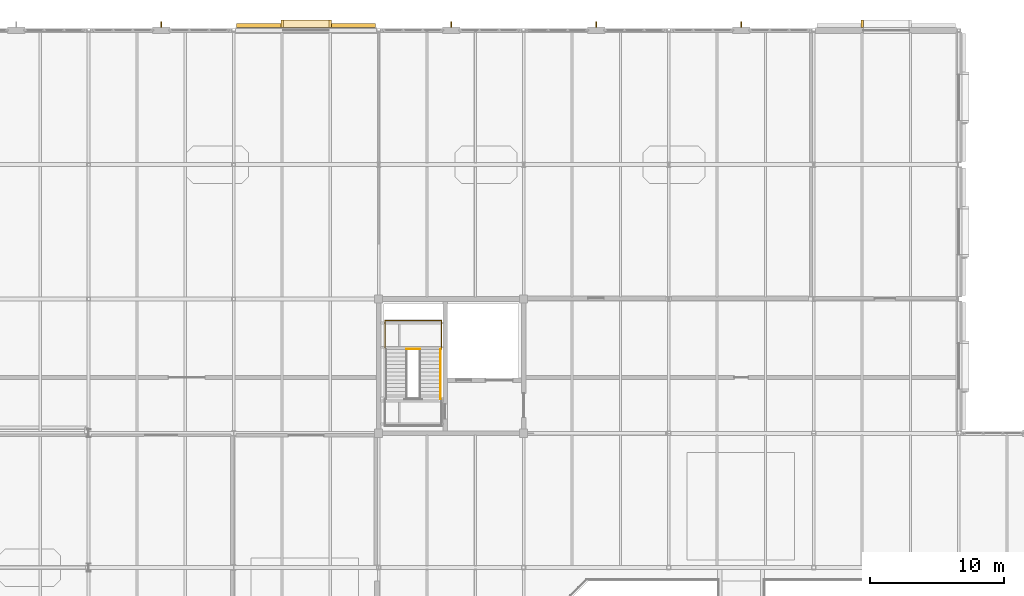
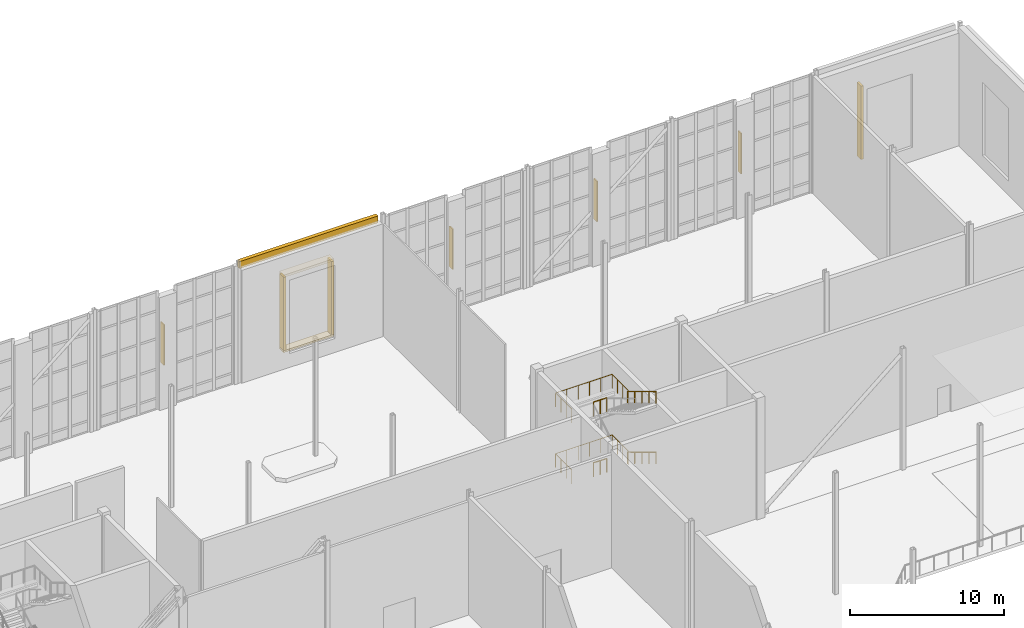
# One storey, part 98 of 100: 6 coverings, 6 railings, 4 shading devices.
"""IFC4 building model written with IfcOpenShell, lengths in metres."""

import ifcopenshell
import ifcopenshell.guid

model = None  # the IFC model being written
_history = None  # IfcOwnerHistory: only IFC2X3 demands one
_inside = {}  # id of a spatial element -> (the spatial element, [elements in it])
_under = {}  # id of a project, library or spatial element -> (it, [spatial elements below it])
_declared = {}  # id of a project -> (the project, [libraries it declares])
_typed = {}  # id of a type object -> (the type object, [elements of that type])
_made_of = {}  # id of a material, layer set ... -> (it, [elements and type objects made of it])


def new_model(schema):
    """Start an empty IFC model of exactly this schema.

    Asked for "IFC4X3", IfcOpenShell would pick the latest addendum, in which some entities
    have other attributes; the version numbers below select the first issue.
    IFC2X3 requires an IfcOwnerHistory on every rooted entity: one is made here for all.
    """
    global model, _history
    if schema == "IFC4X3":
        model = ifcopenshell.file(schema_version=(4, 3, 0, 0))
    else:
        model = ifcopenshell.file(schema=schema)
    _inside.clear()
    _under.clear()
    _declared.clear()
    _typed.clear()
    _made_of.clear()
    _history = None
    if model.schema == "IFC2X3":
        org = make("IfcOrganization", Name="unknown")
        user = make(
            "IfcPersonAndOrganization",
            ThePerson=make("IfcPerson", FamilyName="unknown"),
            TheOrganization=org,
        )
        app = make(
            "IfcApplication",
            ApplicationDeveloper=org,
            Version="unknown",
            ApplicationFullName="unknown",
            ApplicationIdentifier="unknown",
        )
        _history = make(
            "IfcOwnerHistory",
            OwningUser=user,
            OwningApplication=app,
            ChangeAction="ADDED",
            CreationDate=0,
        )
    return model


def make(cls, **values):
    """One entity of the class cls with the attributes given. An attribute that is None is left unset."""
    return model.create_entity(
        cls, **{name: value for name, value in values.items() if value is not None}
    )


def rooted(cls, **values):
    """An entity with a GlobalId (a new one), such as an element, a storey or a relation."""
    return make(cls, GlobalId=ifcopenshell.guid.new(), OwnerHistory=_history, **values)


def si_unit(unit_type, name, prefix=None):
    """IfcSIUnit, for example si_unit("LENGTHUNIT", "METRE", prefix="MILLI")."""
    return make("IfcSIUnit", UnitType=unit_type, Prefix=prefix, Name=name)


def assignment(units):
    """IfcUnitAssignment: the units of a project."""
    return None if units is None else make("IfcUnitAssignment", Units=units)


def point(xyz):
    """IfcCartesianPoint."""
    return None if xyz is None else make("IfcCartesianPoint", Coordinates=xyz)


def direction(xyz):
    """IfcDirection."""
    return None if xyz is None else make("IfcDirection", DirectionRatios=xyz)


def frame(location, z_axis=None, x_axis=None):
    """IfcAxis2Placement3D, a coordinate frame: its origin and axes. An axis left out is left unset."""
    return make(
        "IfcAxis2Placement3D",
        Location=point(location),
        Axis=direction(z_axis),
        RefDirection=direction(x_axis),
    )


def frame_2d(location, x_axis=None):
    """IfcAxis2Placement2D, a coordinate frame in the plane: its origin and x axis."""
    return make(
        "IfcAxis2Placement2D", Location=point(location), RefDirection=direction(x_axis)
    )


def origin():
    """The frame at (0, 0, 0) with its axes left unset."""
    return frame((0.0, 0.0, 0.0))


def origin_2d():
    """The frame at (0, 0) in the plane with its x axis left unset."""
    return frame_2d((0.0, 0.0))


def place(relative_to, where):
    """IfcLocalPlacement: puts the frame where relative to a parent placement (None: the world)."""
    return make(
        "IfcLocalPlacement", PlacementRelTo=relative_to, RelativePlacement=where
    )


def context(
    kind, dimensions, precision=None, world=None, true_north=None, identifier=None
):
    """IfcGeometricRepresentationContext, for example the 3D "Model" context."""
    return make(
        "IfcGeometricRepresentationContext",
        ContextIdentifier=identifier,
        ContextType=kind,
        CoordinateSpaceDimension=dimensions,
        Precision=precision,
        WorldCoordinateSystem=world,
        TrueNorth=true_north,
    )


def subcontext(parent, identifier, kind, view, scale=None):
    """IfcGeometricRepresentationSubContext, for example "Body" below "Model"."""
    return make(
        "IfcGeometricRepresentationSubContext",
        ContextIdentifier=identifier,
        ContextType=kind,
        ParentContext=parent,
        TargetScale=scale,
        TargetView=view,
    )


def project(units=None, contexts=None):
    """IfcProject with its units and contexts."""
    return rooted(
        "IfcProject",
        Name="project",
        RepresentationContexts=contexts,
        UnitsInContext=assignment(units),
    )


def spatial(cls, under=None, at=None, **own):
    """A site, building, storey or space (cls), placed at a placement, below another one or the project."""
    s = rooted(cls, ObjectPlacement=at, **own)
    if under is not None:
        _under.setdefault(under.id(), (under, []))[1].append(s)
    return s


def profile(cls, at=None, kind="AREA", **sizes):
    """A parametric profile (cls). Its sizes go by their IFC names, for example OverallWidth=200.0."""
    return make(cls, ProfileType=kind, Position=at, **sizes)


def rectangle(**sizes):
    """IfcRectangleProfileDef."""
    return profile("IfcRectangleProfileDef", **sizes)


def circle(**sizes):
    """IfcCircleProfileDef."""
    return profile("IfcCircleProfileDef", **sizes)


def extrude(swept, where, along, depth):
    """IfcExtrudedAreaSolid: the profile swept, set in the frame where, extruded along a direction by depth."""
    return make(
        "IfcExtrudedAreaSolid",
        SweptArea=swept,
        Position=where,
        ExtrudedDirection=direction(along),
        Depth=depth,
    )


def shape(context_of_items, identifier, shape_type, items):
    """IfcShapeRepresentation: the items that make up one representation, for example the "Body"."""
    return make(
        "IfcShapeRepresentation",
        ContextOfItems=context_of_items,
        RepresentationIdentifier=identifier,
        RepresentationType=shape_type,
        Items=items,
    )


def material(Name=None, Category=None):
    """IfcMaterial."""
    return make("IfcMaterial", Name=Name, Category=Category)


def layer(
    of_material, thickness, ventilated=None, Name=None, Category=None, Priority=None
):
    """IfcMaterialLayer: one layer of a wall or slab, of a material (None: an air gap)."""
    return make(
        "IfcMaterialLayer",
        Material=of_material,
        LayerThickness=thickness,
        IsVentilated=ventilated,
        Name=Name,
        Category=Category,
        Priority=Priority,
    )


def layer_set(layers, Name=None):
    """IfcMaterialLayerSet."""
    return make("IfcMaterialLayerSet", MaterialLayers=layers, LayerSetName=Name)


def made_of(thing, what):
    """Note that an element or type object is made of a material, layer set ...; save() writes the relation."""
    if what is not None:
        _made_of.setdefault(what.id(), (what, []))[1].append(thing)
    return thing


def type_object(cls, material=None, **own):
    """A type object (cls), such as IfcWallType, which elements share."""
    return made_of(rooted(cls, **own), material)


def element(
    cls,
    number,
    at=None,
    inside=None,
    cuts=None,
    type_object=None,
    material=None,
    context=None,
    identifier="Body",
    shape_type=None,
    held_by="IfcProductDefinitionShape",
    body=None,
    shapes=None,
    **own,
):
    """One element of the class cls, such as IfcWall. Its Tag is "e" and its number.

    at: its placement. inside: the storey or other place that contains it. cuts: it is an
    opening in that element (IfcRelVoidsElement). A single representation is given by context,
    identifier, shape_type and body (its items); several are given by shapes. held_by: the class
    of the entity that holds the representations. save() writes the other relations.
    """
    e = rooted(cls, Tag="e%d" % number, ObjectPlacement=at, **own)
    if body is not None:
        shapes = [shape(context, identifier, shape_type, body)]
    if shapes is not None:
        e.Representation = make(held_by, Representations=shapes)
    if inside is not None:
        _inside.setdefault(inside.id(), (inside, []))[1].append(e)
    if cuts is not None:
        rooted(
            "IfcRelVoidsElement", RelatingBuildingElement=cuts, RelatedOpeningElement=e
        )
    if type_object is not None:
        _typed.setdefault(type_object.id(), (type_object, []))[1].append(e)
    return made_of(e, material)


def aggregate(whole, parts):
    """IfcRelAggregates: a whole, such as a stair, and the parts it consists of."""
    return rooted("IfcRelAggregates", RelatingObject=whole, RelatedObjects=parts)


def save(model, path):
    """Write the relations noted so far, then the file.

    IfcRelAggregates (storeys below a building ...), IfcRelContainedInSpatialStructure (elements
    in a storey), IfcRelDefinesByType, IfcRelAssociatesMaterial and IfcRelDeclares: one each for
    every whole, place, type object, material and project.
    """
    for whole, parts in _under.values():
        aggregate(whole, parts)
    for where, things in _inside.values():
        rooted(
            "IfcRelContainedInSpatialStructure",
            RelatedElements=things,
            RelatingStructure=where,
        )
    for kind, things in _typed.values():
        rooted("IfcRelDefinesByType", RelatedObjects=things, RelatingType=kind)
    for what, things in _made_of.values():
        rooted("IfcRelAssociatesMaterial", RelatedObjects=things, RelatingMaterial=what)
    for by, libraries in _declared.values():
        rooted("IfcRelDeclares", RelatingContext=by, RelatedDefinitions=libraries)
    model.write(path)


model = new_model("IFC4")

# Units and contexts
model_context = context("Model", 3, precision=1e-05, world=origin(), true_north=direction((0.0, 1.0)))
body_context = subcontext(model_context, "Body", "Model", "MODEL_VIEW")
ifc_project = project(units=[si_unit("LENGTHUNIT", "METRE"), si_unit("AREAUNIT", "SQUARE_METRE"), si_unit("VOLUMEUNIT", "CUBIC_METRE"), si_unit("PLANEANGLEUNIT", "RADIAN"), si_unit("MASSUNIT", "GRAM", prefix="KILO")], contexts=[model_context])

# Site, building, storey
site_placement = place(None, origin())
site = spatial("IfcSite", under=ifc_project, at=site_placement, CompositionType="ELEMENT")
building_placement = place(site_placement, origin())
building = spatial("IfcBuilding", under=site, at=building_placement, Name="Tasgan Crest Museum", CompositionType="ELEMENT")
storey_placement = place(building_placement, frame((0.0, 0.0, 14.39990234375)))
storey = spatial("IfcBuildingStorey", under=building, at=storey_placement, Name="L03", CompositionType="ELEMENT", Elevation=14.39990234375)

# Coverings
ifc_material_1 = material(Name="Honed Rose-Red Mongolian Granite", Category="masonry")
ifc_layer_1 = layer(ifc_material_1, 0.0400390625, Name="COV-GRANITE-ROSE")
ifc_layer_set_1 = layer_set([ifc_layer_1], Name="Honed Rose-Red Mongolian Granite")
covering_type_1 = type_object("IfcCoveringType", Name="COV-GRANITE-ROSE", PredefinedType="CLADDING", material=ifc_layer_set_1)
for number, where, z_axis, x_axis, name in (
    (1, (90.010009765625, 112.5, 1.10009765625), (0.0, 0.0, 1.0), (-1.0, 0.0, 0.0), "Deep window reveal jamb L03-053"),
    (2, (50.389892578125, 112.5, 1.10009765625), (0.0, 0.0, 1.0), (-1.0, 0.0, 0.0), "Deep window reveal jamb L03-054"),
    (3, (46.81005859375, 112.5, 1.10009765625), (0.0, 0.0, 1.0), (-1.0, 0.0, 0.0), "Deep window reveal jamb L03-054"),
):
    element("IfcCovering", number, at=place(storey_placement, frame(where, z_axis=z_axis, x_axis=x_axis)), inside=storey, type_object=covering_type_1, Name=name, PredefinedType="CLADDING", context=body_context, shape_type="SweptSolid", body=[
        extrude(rectangle(XDim=0.179931640625, YDim=0.550048828125, at=origin_2d()), origin(), (0.0, 0.0, 1.0), 5.800048828125),
    ])
ifc_material_2 = material(Name="Honed Buff Limestone", Category="masonry")
ifc_layer_2 = layer(ifc_material_2, 0.044921875, Name="COV-LIMESTONE-BUFF")
ifc_layer_set_2 = layer_set([ifc_layer_2], Name="Honed Buff Limestone")
covering_type_2 = type_object("IfcCoveringType", Name="COV-LIMESTONE-BUFF", PredefinedType="CLADDING", material=ifc_layer_set_2)
covering_1_placement = place(storey_placement, frame((48.60009765625, 112.364990234375, 8.76025390625), z_axis=(0.0, 0.0, 1.0), x_axis=(-1.0, 0.0, 0.0)))
element("IfcCovering", 4, at=covering_1_placement, inside=storey, type_object=covering_type_2, Name="Stone frieze cladding L03", PredefinedType="CLADDING", context=body_context, shape_type="SweptSolid", body=[
    extrude(rectangle(XDim=10.347900390625, YDim=0.280029296875, at=origin_2d()), origin(), (0.0, 0.0, 1.0), 0.550048828125),
])
covering_2_placement = place(storey_placement, frame((48.60009765625, 112.5, 6.89990234375), z_axis=(0.0, 0.0, 1.0), x_axis=(-1.0, 0.0, 0.0)))
element("IfcCovering", 5, at=covering_2_placement, inside=storey, type_object=covering_type_2, Name="Deep window hood L03-054", PredefinedType="CLADDING", context=body_context, shape_type="SweptSolid", body=[
    extrude(rectangle(XDim=3.760009765625, YDim=0.550048828125, at=origin_2d()), origin(), (0.0, 0.0, 1.0), 0.179931640625),
])
covering_3_placement = place(storey_placement, frame((48.60009765625, 112.5, 0.9599609375), z_axis=(0.0, 0.0, 1.0), x_axis=(-1.0, 0.0, 0.0)))
element("IfcCovering", 6, at=covering_3_placement, inside=storey, type_object=covering_type_2, Name="Deep window sill L03-054", PredefinedType="CLADDING", context=body_context, shape_type="SweptSolid", body=[
    extrude(rectangle(XDim=3.760009765625, YDim=0.550048828125, at=origin_2d()), origin(), (0.0, 0.0, 1.0), 0.139892578125),
])

# Railings
ifc_material_3 = material(Name="Brushed Bronze and Toughened Glass", Category="glass")
railing_type_1 = type_object("IfcRailingType", Name="RL-INT-GUARD-1120", PredefinedType="GUARDRAIL", material=ifc_material_3)
railing_1_placement = place(storey_placement, frame((56.080078125, 88.27490234375, 2.400146484375)))
element("IfcRailing", 7, at=railing_1_placement, inside=storey, type_object=railing_type_1, Name="Stair half-landing well guard ST-NC-L03 T1", PredefinedType="GUARDRAIL", context=body_context, shape_type="SweptSolid", body=[
    extrude(circle(Radius=0.02392578125, at=origin_2d()), frame((0.0, 0.0, 1.09619140625), z_axis=(1.0, 0.0, 0.0), x_axis=(0.0, 1.0, 0.0)), (0.0, 0.0, 1.0), 0.989990234375),
    extrude(circle(Radius=0.02099609375, at=origin_2d()), origin(), (0.0, 0.0, 1.0), 1.072021484375),
    extrude(circle(Radius=0.02099609375, at=origin_2d()), frame((0.4951171875, 0.0, 0.0)), (0.0, 0.0, 1.0), 1.072021484375),
    extrude(circle(Radius=0.02099609375, at=origin_2d()), frame((0.989990234375, 0.0, 0.0)), (0.0, 0.0, 1.0), 1.072021484375),
])
railing_2_placement = place(storey_placement, frame((54.4599609375, 88.294921875, 2.400146484375)))
element("IfcRailing", 8, at=railing_2_placement, inside=storey, type_object=railing_type_1, Name="Stair half-landing perimeter guard ST-NC-L03 T1", PredefinedType="GUARDRAIL", context=body_context, shape_type="SweptSolid", body=[
    extrude(circle(Radius=0.02392578125, at=origin_2d()), frame((0.0, 0.0, 1.09619140625), z_axis=(0.0, 1.0, 0.0), x_axis=(-1.0, 0.0, 0.0)), (0.0, 0.0, 1.0), 2.10009765625),
    extrude(circle(Radius=0.02392578125, at=origin_2d()), frame((0.0, 2.10009765625, 1.09619140625), z_axis=(1.0, 0.0, 0.0), x_axis=(0.0, 1.0, 0.0)), (0.0, 0.0, 1.0), 4.22998046875),
    extrude(circle(Radius=0.02392578125, at=origin_2d()), frame((4.22998046875, 2.10009765625, 1.09619140625), z_axis=(0.0, -1.0, 0.0), x_axis=(1.0, 0.0, 0.0)), (0.0, 0.0, 1.0), 2.10009765625),
    extrude(circle(Radius=0.02099609375, at=origin_2d()), origin(), (0.0, 0.0, 1.0), 1.072021484375),
    extrude(circle(Radius=0.02099609375, at=origin_2d()), frame((0.0, 0.699951171875, 0.0)), (0.0, 0.0, 1.0), 1.072021484375),
    extrude(circle(Radius=0.02099609375, at=origin_2d()), frame((0.0, 1.400146484375, 0.0)), (0.0, 0.0, 1.0), 1.072021484375),
    extrude(circle(Radius=0.02099609375, at=origin_2d()), frame((0.0, 2.10009765625, 0.0)), (0.0, 0.0, 1.0), 1.072021484375),
    extrude(circle(Radius=0.02099609375, at=origin_2d()), frame((0.845947265625, 2.10009765625, 0.0)), (0.0, 0.0, 1.0), 1.072021484375),
    extrude(circle(Radius=0.02099609375, at=origin_2d()), frame((1.69189453125, 2.10009765625, 0.0)), (0.0, 0.0, 1.0), 1.072021484375),
    extrude(circle(Radius=0.02099609375, at=origin_2d()), frame((2.5380859375, 2.10009765625, 0.0)), (0.0, 0.0, 1.0), 1.072021484375),
    extrude(circle(Radius=0.02099609375, at=origin_2d()), frame((3.384033203125, 2.10009765625, 0.0)), (0.0, 0.0, 1.0), 1.072021484375),
    extrude(circle(Radius=0.02099609375, at=origin_2d()), frame((4.22998046875, 2.10009765625, 0.0)), (0.0, 0.0, 1.0), 1.072021484375),
    extrude(circle(Radius=0.02099609375, at=origin_2d()), frame((4.22998046875, 1.400146484375, 0.0)), (0.0, 0.0, 1.0), 1.072021484375),
    extrude(circle(Radius=0.02099609375, at=origin_2d()), frame((4.22998046875, 0.699951171875, 0.0)), (0.0, 0.0, 1.0), 1.072021484375),
    extrude(circle(Radius=0.02099609375, at=origin_2d()), frame((4.22998046875, 0.0, 0.0)), (0.0, 0.0, 1.0), 1.072021484375),
])
railing_3_placement = place(storey_placement, frame((56.080078125, 88.27490234375, 7.2001953125)))
element("IfcRailing", 9, at=railing_3_placement, inside=storey, type_object=railing_type_1, Name="Stair half-landing well guard ST-NC-L03 T2", PredefinedType="GUARDRAIL", context=body_context, shape_type="SweptSolid", body=[
    extrude(circle(Radius=0.02392578125, at=origin_2d()), frame((0.0, 0.0, 1.09619140625), z_axis=(1.0, 0.0, 0.0), x_axis=(0.0, 1.0, 0.0)), (0.0, 0.0, 1.0), 0.989990234375),
    extrude(circle(Radius=0.02099609375, at=origin_2d()), origin(), (0.0, 0.0, 1.0), 1.072021484375),
    extrude(circle(Radius=0.02099609375, at=origin_2d()), frame((0.4951171875, 0.0, 0.0)), (0.0, 0.0, 1.0), 1.072021484375),
    extrude(circle(Radius=0.02099609375, at=origin_2d()), frame((0.989990234375, 0.0, 0.0)), (0.0, 0.0, 1.0), 1.072021484375),
])
railing_4_placement = place(storey_placement, frame((54.4599609375, 88.294921875, 7.2001953125)))
element("IfcRailing", 10, at=railing_4_placement, inside=storey, type_object=railing_type_1, Name="Stair half-landing perimeter guard ST-NC-L03 T2", PredefinedType="GUARDRAIL", context=body_context, shape_type="SweptSolid", body=[
    extrude(circle(Radius=0.02392578125, at=origin_2d()), frame((0.0, 0.0, 1.09619140625), z_axis=(0.0, 1.0, 0.0), x_axis=(-1.0, 0.0, 0.0)), (0.0, 0.0, 1.0), 2.10009765625),
    extrude(circle(Radius=0.02392578125, at=origin_2d()), frame((0.0, 2.10009765625, 1.09619140625), z_axis=(1.0, 0.0, 0.0), x_axis=(0.0, 1.0, 0.0)), (0.0, 0.0, 1.0), 4.22998046875),
    extrude(circle(Radius=0.02392578125, at=origin_2d()), frame((4.22998046875, 2.10009765625, 1.09619140625), z_axis=(0.0, -1.0, 0.0), x_axis=(1.0, 0.0, 0.0)), (0.0, 0.0, 1.0), 2.10009765625),
    extrude(circle(Radius=0.02099609375, at=origin_2d()), origin(), (0.0, 0.0, 1.0), 1.072021484375),
    extrude(circle(Radius=0.02099609375, at=origin_2d()), frame((0.0, 0.699951171875, 0.0)), (0.0, 0.0, 1.0), 1.072021484375),
    extrude(circle(Radius=0.02099609375, at=origin_2d()), frame((0.0, 1.400146484375, 0.0)), (0.0, 0.0, 1.0), 1.072021484375),
    extrude(circle(Radius=0.02099609375, at=origin_2d()), frame((0.0, 2.10009765625, 0.0)), (0.0, 0.0, 1.0), 1.072021484375),
    extrude(circle(Radius=0.02099609375, at=origin_2d()), frame((0.845947265625, 2.10009765625, 0.0)), (0.0, 0.0, 1.0), 1.072021484375),
    extrude(circle(Radius=0.02099609375, at=origin_2d()), frame((1.69189453125, 2.10009765625, 0.0)), (0.0, 0.0, 1.0), 1.072021484375),
    extrude(circle(Radius=0.02099609375, at=origin_2d()), frame((2.5380859375, 2.10009765625, 0.0)), (0.0, 0.0, 1.0), 1.072021484375),
    extrude(circle(Radius=0.02099609375, at=origin_2d()), frame((3.384033203125, 2.10009765625, 0.0)), (0.0, 0.0, 1.0), 1.072021484375),
    extrude(circle(Radius=0.02099609375, at=origin_2d()), frame((4.22998046875, 2.10009765625, 0.0)), (0.0, 0.0, 1.0), 1.072021484375),
    extrude(circle(Radius=0.02099609375, at=origin_2d()), frame((4.22998046875, 1.400146484375, 0.0)), (0.0, 0.0, 1.0), 1.072021484375),
    extrude(circle(Radius=0.02099609375, at=origin_2d()), frame((4.22998046875, 0.699951171875, 0.0)), (0.0, 0.0, 1.0), 1.072021484375),
    extrude(circle(Radius=0.02099609375, at=origin_2d()), frame((4.22998046875, 0.0, 0.0)), (0.0, 0.0, 1.0), 1.072021484375),
])
ifc_material_4 = material(Name="Brushed Stainless Steel", Category="steel")
railing_type_2 = type_object("IfcRailingType", Name="RL-STAIR-HAND-920", PredefinedType="HANDRAIL", material=ifc_material_4)
for number, where, name in (
    (11, (58.610107421875, 88.2548828125, 2.571533203125), "Stair handrail STAIR-CORE-NC-L03-F2 L"),
    (12, (58.610107421875, 88.2548828125, 7.37158203125), "Stair handrail STAIR-CORE-NC-L03-F4 L"),
):
    element("IfcRailing", number, at=place(storey_placement, frame(where)), inside=storey, type_object=railing_type_2, Name=name, PredefinedType="HANDRAIL", context=body_context, shape_type="SweptSolid", body=[
        extrude(circle(Radius=0.02392578125, at=origin_2d()), frame((0.0, 0.0, 0.89599609375), z_axis=(0.0, -0.856919398105, 0.515450429384), x_axis=(1.0, 0.0, 0.0)), (0.0, 0.0, 1.0), 4.323486328125),
        extrude(circle(Radius=0.02099609375, at=origin_2d()), origin(), (0.0, 0.0, 1.0), 0.871826171875),
        extrude(circle(Radius=0.02099609375, at=origin_2d()), frame((0.0, -0.92626953125, 0.55712890625)), (0.0, 0.0, 1.0), 0.871826171875),
        extrude(circle(Radius=0.02099609375, at=origin_2d()), frame((0.0, -1.8525390625, 1.1142578125)), (0.0, 0.0, 1.0), 0.871826171875),
        extrude(circle(Radius=0.02099609375, at=origin_2d()), frame((0.0, -2.778564453125, 1.67138671875)), (0.0, 0.0, 1.0), 0.871826171875),
        extrude(circle(Radius=0.02099609375, at=origin_2d()), frame((0.0, -3.704833984375, 2.228515625)), (0.0, 0.0, 1.0), 0.871826171875),
    ])

# Shading devices
ifc_material_5 = material(Name="Anodised Bronze Aluminium", Category="aluminium")
shading_device_type = type_object("IfcShadingDeviceType", Name="SH-FIN-V400", PredefinedType="JALOUSIE", material=ifc_material_5)
for number, where, z_axis, x_axis, name in (
    (13, (81.0, 112.449951171875, 3.080078125), (0.0, 0.0, 1.0), (-1.0, 0.0, 0.0), "Facade pier solar fin L03"),
    (14, (70.199951171875, 112.449951171875, 3.080078125), (0.0, 0.0, 1.0), (-1.0, 0.0, 0.0), "Facade pier solar fin L03"),
    (15, (59.39990234375, 112.449951171875, 3.080078125), (0.0, 0.0, 1.0), (-1.0, 0.0, 0.0), "Facade pier solar fin L03"),
    (16, (37.800048828125, 112.449951171875, 3.080078125), (0.0, 0.0, 1.0), (-1.0, 0.0, 0.0), "Facade pier solar fin L03"),
):
    element("IfcShadingDevice", number, at=place(storey_placement, frame(where, z_axis=z_axis, x_axis=x_axis)), inside=storey, type_object=shading_device_type, Name=name, PredefinedType="JALOUSIE", context=body_context, shape_type="SweptSolid", body=[
        extrude(rectangle(XDim=0.080078125, YDim=0.419921875, at=origin_2d()), origin(), (0.0, 0.0, 1.0), 3.199951171875),
    ])

save(model, "model.ifc")
